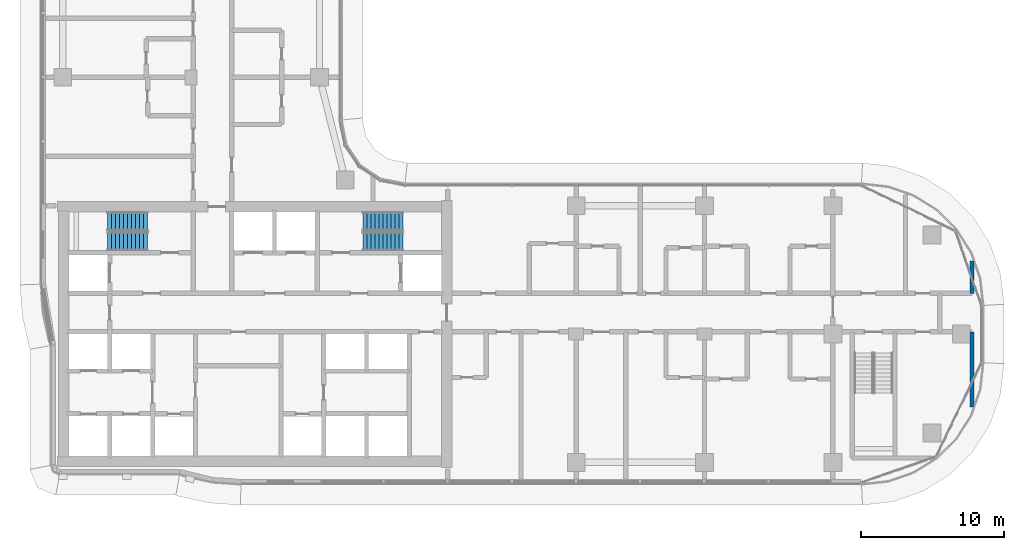
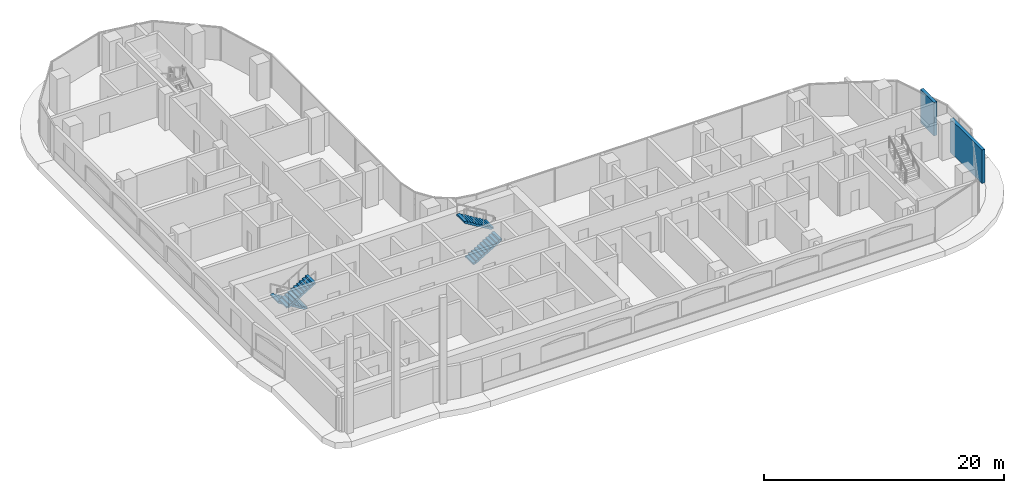
# One storey, part 14 of 25: 4 stair flights, 2 walls, 2 elements without a shape of their own.
"""IFC4 building model written with IfcOpenShell, lengths in metres."""

from ifc_helpers import new_model, si_unit, direction, frame, frame_2d, origin, place, context, subcontext, project, spatial, rectangle, extrude, triangles, source, transform, mapped, material, layer, layer_set, type_object, element, aggregate, save


model = new_model("IFC4")

# Units and contexts
model_context = context("Model", 3, precision=1e-05, world=origin(), true_north=direction((0.0, 1.0)))
body_context = subcontext(model_context, "Body", "Model", "MODEL_VIEW")
ifc_project = project(units=[si_unit("LENGTHUNIT", "METRE"), si_unit("AREAUNIT", "SQUARE_METRE"), si_unit("VOLUMEUNIT", "CUBIC_METRE"), si_unit("PLANEANGLEUNIT", "RADIAN"), si_unit("MASSUNIT", "GRAM", prefix="KILO")], contexts=[model_context])

# Site, building, storey
site_placement = place(None, origin())
site = spatial("IfcSite", under=ifc_project, at=site_placement, CompositionType="ELEMENT")
building_placement = place(site_placement, origin())
building = spatial("IfcBuilding", under=site, at=building_placement, Name="Ogive Portal Towers", CompositionType="ELEMENT")
storey_placement = place(building_placement, frame((0.0, 0.0, 105.60009765625)))
storey = spatial("IfcBuildingStorey", under=building, at=storey_placement, Name="L25", CompositionType="ELEMENT", Elevation=105.60009765625)

# Walls
ifc_material_1 = material(Name="Gypsum board partition on steel studs", Category="steel")
ifc_layer = layer(ifc_material_1, 0.300048828125)
ifc_layer_set = layer_set([ifc_layer], Name="WT-PART-300-EI 60")
wall_type = type_object("IfcWallType", Name="WT-PART-300-EI 60", PredefinedType="PARTITIONING", material=ifc_layer_set)
wall_1_placement = place(storey_placement, frame((95.25, 25.386962890625, 0.0), z_axis=(0.0, 0.0, 1.0), x_axis=(0.0, 1.0, 0.0)))
element("IfcWall", 1, at=wall_1_placement, inside=storey, type_object=wall_type, Name="Wall L25:w066", PredefinedType="PARTITIONING", context=body_context, shape_type="SweptSolid", body=[
    extrude(rectangle(XDim=5.262939453125, YDim=0.300048828125, at=frame_2d((2.63134765625, 0.0))), origin(), (0.0, 0.0, 1.0), 3.39990234375),
])
wall_2_placement = place(storey_placement, frame((95.25, 33.35009765625, 0.0), z_axis=(0.0, 0.0, 1.0), x_axis=(0.0, 1.0, 0.0)))
element("IfcWall", 2, at=wall_2_placement, inside=storey, type_object=wall_type, Name="Wall L25:w067", PredefinedType="PARTITIONING", context=body_context, shape_type="SweptSolid", body=[
    extrude(rectangle(XDim=2.262939453125, YDim=0.300048828125, at=frame_2d((1.13134765625, 0.0))), origin(), (0.0, 0.0, 1.0), 3.39990234375),
])

# Stair, stair flights
ifc_material_2 = material(Name="Concrete C40/50", Category="concrete")
stair_type = type_object("IfcStairType", Name="INT-STAIR", PredefinedType="HALF_TURN_STAIR", material=ifc_material_2)
stair_1_placement = place(storey_placement, origin())
stair_1 = element("IfcStair", 3, at=stair_1_placement, inside=storey, type_object=stair_type, Name="L25 Exit Stair ST-A1", PredefinedType="HALF_TURN_STAIR")
stair_flight_type = type_object("IfcStairFlightType", Name="INT-FLIGHT", PredefinedType="STRAIGHT", material=ifc_material_2)
shared_shape = source(origin(), body_context, "Body", "Tessellation", [
    triangles([(0.0, -0.650146484375, 0.0), (0.0, -0.376220703125, 0.0), (0.0, -0.192626953125, 0.0), (0.0, -0.081298828125, 0.0), (0.0, -0.024169921875, 0.0), (0.0, -0.003173828125, 0.0), (0.0, 0.0, 0.0), (0.0, 0.0029296875, 0.0), (0.0, 0.02392578125, 0.0), (0.0, 0.0810546875, 0.0), (0.0, 0.1923828125, 0.0), (0.0, 0.3759765625, 0.0), (0.0, 0.64990234375, 0.0), (0.0, -0.650146484375, 0.168212890625), (0.0, -0.376220703125, 0.168212890625), (0.0, -0.192626953125, 0.168212890625), (0.0, -0.081298828125, 0.168212890625), (0.0, -0.024169921875, 0.168212890625), (0.0, -0.003173828125, 0.168212890625), (0.0, 0.0, 0.168212890625), (0.0, 0.0029296875, 0.168212890625), (0.0, 0.02392578125, 0.168212890625), (0.0, 0.0810546875, 0.168212890625), (0.0, 0.1923828125, 0.168212890625), (0.0, 0.3759765625, 0.168212890625), (0.0, 0.64990234375, 0.168212890625), (0.280029296875, -0.650146484375, 0.168212890625), (0.280029296875, -0.376220703125, 0.168212890625), (0.280029296875, -0.192626953125, 0.168212890625), (0.280029296875, -0.081298828125, 0.168212890625), (0.280029296875, -0.024169921875, 0.168212890625), (0.280029296875, -0.003173828125, 0.168212890625), (0.280029296875, 0.0, 0.168212890625), (0.280029296875, 0.0029296875, 0.168212890625), (0.280029296875, 0.02392578125, 0.168212890625), (0.280029296875, 0.0810546875, 0.168212890625), (0.280029296875, 0.1923828125, 0.168212890625), (0.280029296875, 0.3759765625, 0.168212890625), (0.280029296875, 0.64990234375, 0.168212890625), (0.280029296875, -0.650146484375, 0.33642578125), (0.280029296875, -0.376220703125, 0.33642578125), (0.280029296875, -0.192626953125, 0.33642578125), (0.280029296875, -0.081298828125, 0.33642578125), (0.280029296875, -0.024169921875, 0.33642578125), (0.280029296875, -0.003173828125, 0.33642578125), (0.280029296875, 0.0, 0.33642578125), (0.280029296875, 0.0029296875, 0.33642578125), (0.280029296875, 0.02392578125, 0.33642578125), (0.280029296875, 0.0810546875, 0.33642578125), (0.280029296875, 0.1923828125, 0.33642578125), (0.280029296875, 0.3759765625, 0.33642578125), (0.280029296875, 0.64990234375, 0.33642578125), (0.56005859375, -0.650146484375, 0.33642578125), (0.56005859375, -0.376220703125, 0.33642578125), (0.56005859375, -0.192626953125, 0.33642578125), (0.56005859375, -0.081298828125, 0.33642578125), (0.56005859375, -0.024169921875, 0.33642578125), (0.56005859375, -0.003173828125, 0.33642578125), (0.56005859375, 0.0, 0.33642578125), (0.56005859375, 0.0029296875, 0.33642578125), (0.56005859375, 0.02392578125, 0.33642578125), (0.56005859375, 0.0810546875, 0.33642578125), (0.56005859375, 0.1923828125, 0.33642578125), (0.56005859375, 0.3759765625, 0.33642578125), (0.56005859375, 0.64990234375, 0.33642578125), (0.56005859375, -0.650146484375, 0.504638671875), (0.56005859375, -0.376220703125, 0.504638671875), (0.56005859375, -0.192626953125, 0.504638671875), (0.56005859375, -0.081298828125, 0.504638671875), (0.56005859375, -0.024169921875, 0.504638671875), (0.56005859375, -0.003173828125, 0.504638671875), (0.56005859375, 0.0, 0.504638671875), (0.56005859375, 0.0029296875, 0.504638671875), (0.56005859375, 0.02392578125, 0.504638671875), (0.56005859375, 0.0810546875, 0.504638671875), (0.56005859375, 0.1923828125, 0.504638671875), (0.56005859375, 0.3759765625, 0.504638671875), (0.56005859375, 0.64990234375, 0.504638671875), (0.840087890625, -0.650146484375, 0.504638671875), (0.840087890625, -0.376220703125, 0.504638671875), (0.840087890625, -0.192626953125, 0.504638671875), (0.840087890625, -0.081298828125, 0.504638671875), (0.840087890625, -0.024169921875, 0.504638671875), (0.840087890625, -0.003173828125, 0.504638671875), (0.840087890625, 0.0, 0.504638671875), (0.840087890625, 0.0029296875, 0.504638671875), (0.840087890625, 0.02392578125, 0.504638671875), (0.840087890625, 0.0810546875, 0.504638671875), (0.840087890625, 0.1923828125, 0.504638671875), (0.840087890625, 0.3759765625, 0.504638671875), (0.840087890625, 0.64990234375, 0.504638671875), (0.840087890625, -0.650146484375, 0.672607421875), (0.840087890625, -0.376220703125, 0.672607421875), (0.840087890625, -0.192626953125, 0.672607421875), (0.840087890625, -0.081298828125, 0.672607421875), (0.840087890625, -0.024169921875, 0.672607421875), (0.840087890625, -0.003173828125, 0.672607421875), (0.840087890625, 0.0, 0.672607421875), (0.840087890625, 0.0029296875, 0.672607421875), (0.840087890625, 0.02392578125, 0.672607421875), (0.840087890625, 0.0810546875, 0.672607421875), (0.840087890625, 0.1923828125, 0.672607421875), (0.840087890625, 0.3759765625, 0.672607421875), (0.840087890625, 0.64990234375, 0.672607421875), (1.1201171875, -0.650146484375, 0.672607421875), (1.1201171875, -0.376220703125, 0.672607421875), (1.1201171875, -0.192626953125, 0.672607421875), (1.1201171875, -0.081298828125, 0.672607421875), (1.1201171875, -0.024169921875, 0.672607421875), (1.1201171875, -0.003173828125, 0.672607421875), (1.1201171875, 0.0, 0.672607421875), (1.1201171875, 0.0029296875, 0.672607421875), (1.1201171875, 0.02392578125, 0.672607421875), (1.1201171875, 0.0810546875, 0.672607421875), (1.1201171875, 0.1923828125, 0.672607421875), (1.1201171875, 0.3759765625, 0.672607421875), (1.1201171875, 0.64990234375, 0.672607421875), (1.1201171875, -0.650146484375, 0.8408203125), (1.1201171875, -0.376220703125, 0.8408203125), (1.1201171875, -0.192626953125, 0.8408203125), (1.1201171875, -0.081298828125, 0.8408203125), (1.1201171875, -0.024169921875, 0.8408203125), (1.1201171875, -0.003173828125, 0.8408203125), (1.1201171875, 0.0, 0.8408203125), (1.1201171875, 0.0029296875, 0.8408203125), (1.1201171875, 0.02392578125, 0.8408203125), (1.1201171875, 0.0810546875, 0.8408203125), (1.1201171875, 0.1923828125, 0.8408203125), (1.1201171875, 0.3759765625, 0.8408203125), (1.1201171875, 0.64990234375, 0.8408203125), (1.39990234375, -0.650146484375, 0.8408203125), (1.39990234375, -0.376220703125, 0.8408203125), (1.39990234375, -0.192626953125, 0.8408203125), (1.39990234375, -0.081298828125, 0.8408203125), (1.39990234375, -0.024169921875, 0.8408203125), (1.39990234375, -0.003173828125, 0.8408203125), (1.39990234375, 0.0, 0.8408203125), (1.39990234375, 0.0029296875, 0.8408203125), (1.39990234375, 0.02392578125, 0.8408203125), (1.39990234375, 0.0810546875, 0.8408203125), (1.39990234375, 0.1923828125, 0.8408203125), (1.39990234375, 0.3759765625, 0.8408203125), (1.39990234375, 0.64990234375, 0.8408203125), (1.39990234375, -0.650146484375, 1.009033203125), (1.39990234375, -0.376220703125, 1.009033203125), (1.39990234375, -0.192626953125, 1.009033203125), (1.39990234375, -0.081298828125, 1.009033203125), (1.39990234375, -0.024169921875, 1.009033203125), (1.39990234375, -0.003173828125, 1.009033203125), (1.39990234375, 0.0, 1.009033203125), (1.39990234375, 0.0029296875, 1.009033203125), (1.39990234375, 0.02392578125, 1.009033203125), (1.39990234375, 0.0810546875, 1.009033203125), (1.39990234375, 0.1923828125, 1.009033203125), (1.39990234375, 0.3759765625, 1.009033203125), (1.39990234375, 0.64990234375, 1.009033203125), (1.679931640625, -0.650146484375, 1.009033203125), (1.679931640625, -0.376220703125, 1.009033203125), (1.679931640625, -0.192626953125, 1.009033203125), (1.679931640625, -0.081298828125, 1.009033203125), (1.679931640625, -0.024169921875, 1.009033203125), (1.679931640625, -0.003173828125, 1.009033203125), (1.679931640625, 0.0, 1.009033203125), (1.679931640625, 0.0029296875, 1.009033203125), (1.679931640625, 0.02392578125, 1.009033203125), (1.679931640625, 0.0810546875, 1.009033203125), (1.679931640625, 0.1923828125, 1.009033203125), (1.679931640625, 0.3759765625, 1.009033203125), (1.679931640625, 0.64990234375, 1.009033203125), (1.679931640625, -0.650146484375, 1.17724609375), (1.679931640625, -0.376220703125, 1.17724609375), (1.679931640625, -0.192626953125, 1.17724609375), (1.679931640625, -0.081298828125, 1.17724609375), (1.679931640625, -0.024169921875, 1.17724609375), (1.679931640625, -0.003173828125, 1.17724609375), (1.679931640625, 0.0, 1.17724609375), (1.679931640625, 0.0029296875, 1.17724609375), (1.679931640625, 0.02392578125, 1.17724609375), (1.679931640625, 0.0810546875, 1.17724609375), (1.679931640625, 0.1923828125, 1.17724609375), (1.679931640625, 0.3759765625, 1.17724609375), (1.679931640625, 0.64990234375, 1.17724609375), (1.9599609375, -0.650146484375, 1.17724609375), (1.9599609375, -0.376220703125, 1.17724609375), (1.9599609375, -0.192626953125, 1.17724609375), (1.9599609375, -0.081298828125, 1.17724609375), (1.9599609375, -0.024169921875, 1.17724609375), (1.9599609375, -0.003173828125, 1.17724609375), (1.9599609375, 0.0, 1.17724609375), (1.9599609375, 0.0029296875, 1.17724609375), (1.9599609375, 0.02392578125, 1.17724609375), (1.9599609375, 0.0810546875, 1.17724609375), (1.9599609375, 0.1923828125, 1.17724609375), (1.9599609375, 0.3759765625, 1.17724609375), (1.9599609375, 0.64990234375, 1.17724609375), (1.9599609375, -0.650146484375, 1.345458984375), (1.9599609375, -0.376220703125, 1.345458984375), (1.9599609375, -0.192626953125, 1.345458984375), (1.9599609375, -0.081298828125, 1.345458984375), (1.9599609375, -0.024169921875, 1.345458984375), (1.9599609375, -0.003173828125, 1.345458984375), (1.9599609375, 0.0, 1.345458984375), (1.9599609375, 0.0029296875, 1.345458984375), (1.9599609375, 0.02392578125, 1.345458984375), (1.9599609375, 0.0810546875, 1.345458984375), (1.9599609375, 0.1923828125, 1.345458984375), (1.9599609375, 0.3759765625, 1.345458984375), (1.9599609375, 0.64990234375, 1.345458984375), (2.239990234375, -0.650146484375, 1.345458984375), (2.239990234375, -0.376220703125, 1.345458984375), (2.239990234375, -0.192626953125, 1.345458984375), (2.239990234375, -0.081298828125, 1.345458984375), (2.239990234375, -0.024169921875, 1.345458984375), (2.239990234375, -0.003173828125, 1.345458984375), (2.239990234375, 0.0, 1.345458984375), (2.239990234375, 0.0029296875, 1.345458984375), (2.239990234375, 0.02392578125, 1.345458984375), (2.239990234375, 0.0810546875, 1.345458984375), (2.239990234375, 0.1923828125, 1.345458984375), (2.239990234375, 0.3759765625, 1.345458984375), (2.239990234375, 0.64990234375, 1.345458984375), (2.239990234375, -0.650146484375, 1.513671875), (2.239990234375, -0.376220703125, 1.513671875), (2.239990234375, -0.192626953125, 1.513671875), (2.239990234375, -0.081298828125, 1.513671875), (2.239990234375, -0.024169921875, 1.513671875), (2.239990234375, -0.003173828125, 1.513671875), (2.239990234375, 0.0, 1.513671875), (2.239990234375, 0.0029296875, 1.513671875), (2.239990234375, 0.02392578125, 1.513671875), (2.239990234375, 0.0810546875, 1.513671875), (2.239990234375, 0.1923828125, 1.513671875), (2.239990234375, 0.3759765625, 1.513671875), (2.239990234375, 0.64990234375, 1.513671875), (2.52001953125, -0.650146484375, 1.513671875), (2.52001953125, -0.376220703125, 1.513671875), (2.52001953125, -0.192626953125, 1.513671875), (2.52001953125, -0.081298828125, 1.513671875), (2.52001953125, -0.024169921875, 1.513671875), (2.52001953125, -0.003173828125, 1.513671875), (2.52001953125, 0.0, 1.513671875), (2.52001953125, 0.0029296875, 1.513671875), (2.52001953125, 0.02392578125, 1.513671875), (2.52001953125, 0.0810546875, 1.513671875), (2.52001953125, 0.1923828125, 1.513671875), (2.52001953125, 0.3759765625, 1.513671875), (2.52001953125, 0.64990234375, 1.513671875), (2.52001953125, -0.650146484375, 1.681884765625), (2.52001953125, -0.376220703125, 1.681884765625), (2.52001953125, -0.192626953125, 1.681884765625), (2.52001953125, -0.081298828125, 1.681884765625), (2.52001953125, -0.024169921875, 1.681884765625), (2.52001953125, -0.003173828125, 1.681884765625), (2.52001953125, 0.0, 1.681884765625), (2.52001953125, 0.0029296875, 1.681884765625), (2.52001953125, 0.02392578125, 1.681884765625), (2.52001953125, 0.0810546875, 1.681884765625), (2.52001953125, 0.1923828125, 1.681884765625), (2.52001953125, 0.3759765625, 1.681884765625), (2.52001953125, 0.64990234375, 1.681884765625), (2.800048828125, -0.650146484375, 1.681884765625), (2.800048828125, -0.376220703125, 1.681884765625), (2.800048828125, -0.192626953125, 1.681884765625), (2.800048828125, -0.081298828125, 1.681884765625), (2.800048828125, -0.024169921875, 1.681884765625), (2.800048828125, -0.003173828125, 1.681884765625), (2.800048828125, 0.0, 1.681884765625), (2.800048828125, 0.0029296875, 1.681884765625), (2.800048828125, 0.02392578125, 1.681884765625), (2.800048828125, 0.0810546875, 1.681884765625), (2.800048828125, 0.1923828125, 1.681884765625), (2.800048828125, 0.3759765625, 1.681884765625), (2.800048828125, 0.64990234375, 1.681884765625), (2.800048828125, -0.650146484375, 1.5068359375), (2.800048828125, -0.376220703125, 1.5068359375), (2.800048828125, -0.192626953125, 1.5068359375), (2.800048828125, -0.081298828125, 1.5068359375), (2.800048828125, -0.024169921875, 1.5068359375), (2.800048828125, -0.003173828125, 1.5068359375), (2.800048828125, 0.0, 1.5068359375), (2.800048828125, 0.0029296875, 1.5068359375), (2.800048828125, 0.02392578125, 1.5068359375), (2.800048828125, 0.0810546875, 1.5068359375), (2.800048828125, 0.1923828125, 1.5068359375), (2.800048828125, 0.3759765625, 1.5068359375), (2.800048828125, 0.64990234375, 1.5068359375), (0.291015625, -0.650146484375, 0.0), (0.291015625, -0.376220703125, 0.0), (0.291015625, -0.192626953125, 0.0), (0.291015625, -0.081298828125, 0.0), (0.291015625, -0.024169921875, 0.0), (0.291015625, -0.003173828125, 0.0), (0.291015625, 0.0, 0.0), (0.291015625, 0.0029296875, 0.0), (0.291015625, 0.02392578125, 0.0), (0.291015625, 0.0810546875, 0.0), (0.291015625, 0.1923828125, 0.0), (0.291015625, 0.3759765625, 0.0), (0.291015625, 0.64990234375, 0.0)], [[1, 14, 15], [1, 15, 2], [2, 15, 16], [2, 16, 3], [3, 16, 17], [3, 17, 4], [4, 17, 18], [4, 18, 5], [5, 18, 19], [5, 19, 6], [6, 19, 20], [6, 20, 7], [7, 20, 21], [7, 21, 8], [8, 21, 22], [8, 22, 9], [9, 22, 23], [9, 23, 10], [10, 23, 24], [10, 24, 11], [11, 24, 25], [11, 25, 12], [12, 25, 26], [12, 26, 13], [14, 27, 28], [14, 28, 15], [15, 28, 29], [15, 29, 16], [16, 29, 30], [16, 30, 17], [17, 30, 31], [17, 31, 18], [18, 31, 32], [18, 32, 19], [19, 32, 33], [19, 33, 20], [20, 33, 34], [20, 34, 21], [21, 34, 35], [21, 35, 22], [22, 35, 36], [22, 36, 23], [23, 36, 37], [23, 37, 24], [24, 37, 38], [24, 38, 25], [25, 38, 39], [25, 39, 26], [27, 40, 41], [27, 41, 28], [28, 41, 42], [28, 42, 29], [29, 42, 43], [29, 43, 30], [30, 43, 44], [30, 44, 31], [31, 44, 45], [31, 45, 32], [32, 45, 46], [32, 46, 33], [33, 46, 47], [33, 47, 34], [34, 47, 48], [34, 48, 35], [35, 48, 49], [35, 49, 36], [36, 49, 50], [36, 50, 37], [37, 50, 51], [37, 51, 38], [38, 51, 52], [38, 52, 39], [40, 53, 54], [40, 54, 41], [41, 54, 55], [41, 55, 42], [42, 55, 56], [42, 56, 43], [43, 56, 57], [43, 57, 44], [44, 57, 58], [44, 58, 45], [45, 58, 59], [45, 59, 46], [46, 59, 60], [46, 60, 47], [47, 60, 61], [47, 61, 48], [48, 61, 62], [48, 62, 49], [49, 62, 63], [49, 63, 50], [50, 63, 64], [50, 64, 51], [51, 64, 65], [51, 65, 52], [53, 66, 67], [53, 67, 54], [54, 67, 68], [54, 68, 55], [55, 68, 69], [55, 69, 56], [56, 69, 70], [56, 70, 57], [57, 70, 71], [57, 71, 58], [58, 71, 72], [58, 72, 59], [59, 72, 73], [59, 73, 60], [60, 73, 74], [60, 74, 61], [61, 74, 75], [61, 75, 62], [62, 75, 76], [62, 76, 63], [63, 76, 77], [63, 77, 64], [64, 77, 78], [64, 78, 65], [66, 79, 80], [66, 80, 67], [67, 80, 81], [67, 81, 68], [68, 81, 82], [68, 82, 69], [69, 82, 83], [69, 83, 70], [70, 83, 84], [70, 84, 71], [71, 84, 85], [71, 85, 72], [72, 85, 86], [72, 86, 73], [73, 86, 87], [73, 87, 74], [74, 87, 88], [74, 88, 75], [75, 88, 89], [75, 89, 76], [76, 89, 90], [76, 90, 77], [77, 90, 91], [77, 91, 78], [79, 92, 93], [79, 93, 80], [80, 93, 94], [80, 94, 81], [81, 94, 95], [81, 95, 82], [82, 95, 96], [82, 96, 83], [83, 96, 97], [83, 97, 84], [84, 97, 98], [84, 98, 85], [85, 98, 99], [85, 99, 86], [86, 99, 100], [86, 100, 87], [87, 100, 101], [87, 101, 88], [88, 101, 102], [88, 102, 89], [89, 102, 103], [89, 103, 90], [90, 103, 104], [90, 104, 91], [92, 105, 106], [92, 106, 93], [93, 106, 107], [93, 107, 94], [94, 107, 108], [94, 108, 95], [95, 108, 109], [95, 109, 96], [96, 109, 110], [96, 110, 97], [97, 110, 111], [97, 111, 98], [98, 111, 112], [98, 112, 99], [99, 112, 113], [99, 113, 100], [100, 113, 114], [100, 114, 101], [101, 114, 115], [101, 115, 102], [102, 115, 116], [102, 116, 103], [103, 116, 117], [103, 117, 104], [105, 118, 119], [105, 119, 106], [106, 119, 120], [106, 120, 107], [107, 120, 121], [107, 121, 108], [108, 121, 122], [108, 122, 109], [109, 122, 123], [109, 123, 110], [110, 123, 124], [110, 124, 111], [111, 124, 125], [111, 125, 112], [112, 125, 126], [112, 126, 113], [113, 126, 127], [113, 127, 114], [114, 127, 128], [114, 128, 115], [115, 128, 129], [115, 129, 116], [116, 129, 130], [116, 130, 117], [118, 131, 132], [118, 132, 119], [119, 132, 133], [119, 133, 120], [120, 133, 134], [120, 134, 121], [121, 134, 135], [121, 135, 122], [122, 135, 136], [122, 136, 123], [123, 136, 137], [123, 137, 124], [124, 137, 138], [124, 138, 125], [125, 138, 139], [125, 139, 126], [126, 139, 140], [126, 140, 127], [127, 140, 141], [127, 141, 128], [128, 141, 142], [128, 142, 129], [129, 142, 143], [129, 143, 130], [131, 144, 145], [131, 145, 132], [132, 145, 146], [132, 146, 133], [133, 146, 147], [133, 147, 134], [134, 147, 148], [134, 148, 135], [135, 148, 149], [135, 149, 136], [136, 149, 150], [136, 150, 137], [137, 150, 151], [137, 151, 138], [138, 151, 152], [138, 152, 139], [139, 152, 153], [139, 153, 140], [140, 153, 154], [140, 154, 141], [141, 154, 155], [141, 155, 142], [142, 155, 156], [142, 156, 143], [144, 157, 158], [144, 158, 145], [145, 158, 159], [145, 159, 146], [146, 159, 160], [146, 160, 147], [147, 160, 161], [147, 161, 148], [148, 161, 162], [148, 162, 149], [149, 162, 163], [149, 163, 150], [150, 163, 164], [150, 164, 151], [151, 164, 165], [151, 165, 152], [152, 165, 166], [152, 166, 153], [153, 166, 167], [153, 167, 154], [154, 167, 168], [154, 168, 155], [155, 168, 169], [155, 169, 156], [157, 170, 171], [157, 171, 158], [158, 171, 172], [158, 172, 159], [159, 172, 173], [159, 173, 160], [160, 173, 174], [160, 174, 161], [161, 174, 175], [161, 175, 162], [162, 175, 176], [162, 176, 163], [163, 176, 177], [163, 177, 164], [164, 177, 178], [164, 178, 165], [165, 178, 179], [165, 179, 166], [166, 179, 180], [166, 180, 167], [167, 180, 181], [167, 181, 168], [168, 181, 182], [168, 182, 169], [170, 183, 184], [170, 184, 171], [171, 184, 185], [171, 185, 172], [172, 185, 186], [172, 186, 173], [173, 186, 187], [173, 187, 174], [174, 187, 188], [174, 188, 175], [175, 188, 189], [175, 189, 176], [176, 189, 190], [176, 190, 177], [177, 190, 191], [177, 191, 178], [178, 191, 192], [178, 192, 179], [179, 192, 193], [179, 193, 180], [180, 193, 194], [180, 194, 181], [181, 194, 195], [181, 195, 182], [183, 196, 197], [183, 197, 184], [184, 197, 198], [184, 198, 185], [185, 198, 199], [185, 199, 186], [186, 199, 200], [186, 200, 187], [187, 200, 201], [187, 201, 188], [188, 201, 202], [188, 202, 189], [189, 202, 203], [189, 203, 190], [190, 203, 204], [190, 204, 191], [191, 204, 205], [191, 205, 192], [192, 205, 206], [192, 206, 193], [193, 206, 207], [193, 207, 194], [194, 207, 208], [194, 208, 195], [196, 209, 210], [196, 210, 197], [197, 210, 211], [197, 211, 198], [198, 211, 212], [198, 212, 199], [199, 212, 213], [199, 213, 200], [200, 213, 214], [200, 214, 201], [201, 214, 215], [201, 215, 202], [202, 215, 216], [202, 216, 203], [203, 216, 217], [203, 217, 204], [204, 217, 218], [204, 218, 205], [205, 218, 219], [205, 219, 206], [206, 219, 220], [206, 220, 207], [207, 220, 221], [207, 221, 208], [209, 222, 223], [209, 223, 210], [210, 223, 224], [210, 224, 211], [211, 224, 225], [211, 225, 212], [212, 225, 226], [212, 226, 213], [213, 226, 227], [213, 227, 214], [214, 227, 228], [214, 228, 215], [215, 228, 229], [215, 229, 216], [216, 229, 230], [216, 230, 217], [217, 230, 231], [217, 231, 218], [218, 231, 232], [218, 232, 219], [219, 232, 233], [219, 233, 220], [220, 233, 234], [220, 234, 221], [222, 235, 236], [222, 236, 223], [223, 236, 237], [223, 237, 224], [224, 237, 238], [224, 238, 225], [225, 238, 239], [225, 239, 226], [226, 239, 240], [226, 240, 227], [227, 240, 241], [227, 241, 228], [228, 241, 242], [228, 242, 229], [229, 242, 243], [229, 243, 230], [230, 243, 244], [230, 244, 231], [231, 244, 245], [231, 245, 232], [232, 245, 246], [232, 246, 233], [233, 246, 247], [233, 247, 234], [235, 248, 249], [235, 249, 236], [236, 249, 250], [236, 250, 237], [237, 250, 251], [237, 251, 238], [238, 251, 252], [238, 252, 239], [239, 252, 253], [239, 253, 240], [240, 253, 254], [240, 254, 241], [241, 254, 255], [241, 255, 242], [242, 255, 256], [242, 256, 243], [243, 256, 257], [243, 257, 244], [244, 257, 258], [244, 258, 245], [245, 258, 259], [245, 259, 246], [246, 259, 260], [246, 260, 247], [248, 261, 262], [248, 262, 249], [249, 262, 263], [249, 263, 250], [250, 263, 264], [250, 264, 251], [251, 264, 265], [251, 265, 252], [252, 265, 266], [252, 266, 253], [253, 266, 267], [253, 267, 254], [254, 267, 268], [254, 268, 255], [255, 268, 269], [255, 269, 256], [256, 269, 270], [256, 270, 257], [257, 270, 271], [257, 271, 258], [258, 271, 272], [258, 272, 259], [259, 272, 273], [259, 273, 260], [261, 274, 275], [261, 275, 262], [262, 275, 276], [262, 276, 263], [263, 276, 277], [263, 277, 264], [264, 277, 278], [264, 278, 265], [265, 278, 279], [265, 279, 266], [266, 279, 280], [266, 280, 267], [267, 280, 281], [267, 281, 268], [268, 281, 282], [268, 282, 269], [269, 282, 283], [269, 283, 270], [270, 283, 284], [270, 284, 271], [271, 284, 285], [271, 285, 272], [272, 285, 286], [272, 286, 273], [274, 287, 288], [274, 288, 275], [275, 288, 289], [275, 289, 276], [276, 289, 290], [276, 290, 277], [277, 290, 291], [277, 291, 278], [278, 291, 292], [278, 292, 279], [279, 292, 293], [279, 293, 280], [280, 293, 294], [280, 294, 281], [281, 294, 295], [281, 295, 282], [282, 295, 296], [282, 296, 283], [283, 296, 297], [283, 297, 284], [284, 297, 298], [284, 298, 285], [285, 298, 299], [285, 299, 286], [287, 1, 2], [287, 2, 288], [288, 2, 3], [288, 3, 289], [289, 3, 4], [289, 4, 290], [290, 4, 5], [290, 5, 291], [291, 5, 6], [291, 6, 292], [292, 6, 7], [292, 7, 293], [293, 7, 8], [293, 8, 294], [294, 8, 9], [294, 9, 295], [295, 9, 10], [295, 10, 296], [296, 10, 11], [296, 11, 297], [297, 11, 12], [297, 12, 298], [298, 12, 13], [298, 13, 299], [1, 287, 274], [13, 286, 299], [274, 261, 248], [286, 260, 273], [274, 248, 235], [286, 247, 260], [274, 235, 222], [286, 234, 247], [274, 222, 209], [286, 221, 234], [209, 196, 183], [221, 195, 208], [274, 209, 183], [286, 195, 221], [183, 170, 157], [195, 169, 182], [274, 183, 157], [286, 169, 195], [157, 144, 131], [169, 143, 156], [274, 157, 131], [286, 143, 169], [131, 118, 105], [143, 117, 130], [274, 131, 105], [286, 117, 143], [1, 274, 105], [13, 117, 286], [105, 92, 79], [117, 91, 104], [79, 66, 53], [91, 65, 78], [105, 79, 53], [117, 65, 91], [53, 40, 27], [65, 39, 52], [105, 53, 27], [117, 39, 65], [1, 105, 27], [13, 39, 117], [27, 14, 1], [39, 13, 26]], closed=True),
])
stair_flight_1_placement = place(storey_placement, frame((37.449951171875, 38.39990234375, 0.0), z_axis=(0.0, 0.0, 1.0), x_axis=(-1.0, 0.0, 0.0)))
stair_flight_1 = element("IfcStairFlight", 4, at=stair_flight_1_placement, type_object=stair_flight_type, Name="ST-A1 flight 1", NumberOfRisers=11, NumberOfTreads=10, PredefinedType="STRAIGHT", RiserHeight=0.168181818, TreadLength=0.28, context=body_context, shape_type="MappedRepresentation", body=[
    mapped(shared_shape, transform((0.0, 0.0, 0.0), scale=1.0)),
])
stair_flight_2_placement = place(storey_placement, frame((34.64990234375, 37.0, 1.849853515625), z_axis=(0.0, 0.0, 1.0), x_axis=(1.0, 0.0, 0.0)))
stair_flight_2 = element("IfcStairFlight", 5, at=stair_flight_2_placement, type_object=stair_flight_type, Name="ST-A1 flight 2", NumberOfRisers=11, NumberOfTreads=10, PredefinedType="STRAIGHT", RiserHeight=0.168181818, TreadLength=0.28, context=body_context, shape_type="MappedRepresentation", body=[
    mapped(shared_shape, transform((0.0, 0.0, 0.0), scale=1.0)),
])
aggregate(stair_1, [stair_flight_1, stair_flight_2])

stair_2_placement = place(storey_placement, origin())
stair_2 = element("IfcStair", 6, at=stair_2_placement, inside=storey, type_object=stair_type, Name="L25 Exit Stair ST-A2", PredefinedType="HALF_TURN_STAIR")
stair_flight_3_placement = place(storey_placement, frame((52.550048828125, 37.0, 0.0), z_axis=(0.0, 0.0, 1.0), x_axis=(1.0, 0.0, 0.0)))
stair_flight_3 = element("IfcStairFlight", 7, at=stair_flight_3_placement, type_object=stair_flight_type, Name="ST-A2 flight 1", NumberOfRisers=11, NumberOfTreads=10, PredefinedType="STRAIGHT", RiserHeight=0.168181818, TreadLength=0.28, context=body_context, shape_type="MappedRepresentation", body=[
    mapped(shared_shape, transform((0.0, 0.0, 0.0), scale=1.0)),
])
stair_flight_4_placement = place(storey_placement, frame((55.35009765625, 38.39990234375, 1.849853515625), z_axis=(0.0, 0.0, 1.0), x_axis=(-1.0, 0.0, 0.0)))
stair_flight_4 = element("IfcStairFlight", 8, at=stair_flight_4_placement, type_object=stair_flight_type, Name="ST-A2 flight 2", NumberOfRisers=11, NumberOfTreads=10, PredefinedType="STRAIGHT", RiserHeight=0.168181818, TreadLength=0.28, context=body_context, shape_type="MappedRepresentation", body=[
    mapped(shared_shape, transform((0.0, 0.0, 0.0), scale=1.0)),
])
aggregate(stair_2, [stair_flight_3, stair_flight_4])

save(model, "model.ifc")
